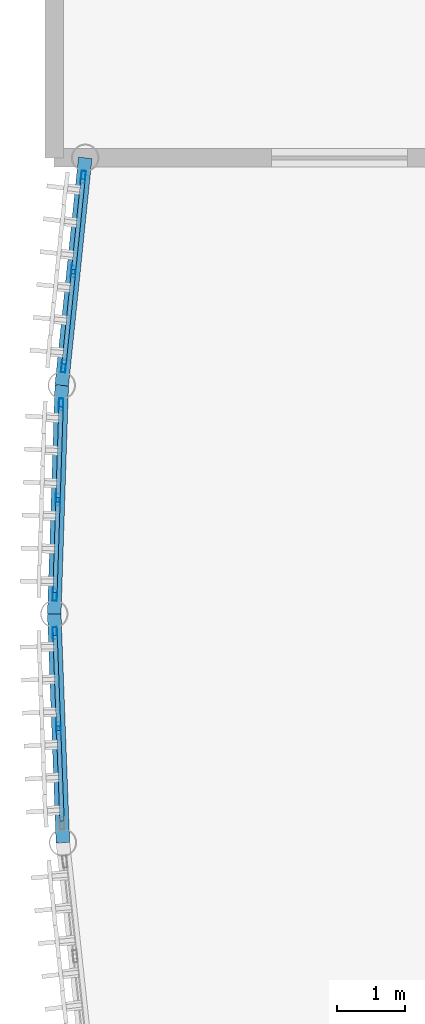
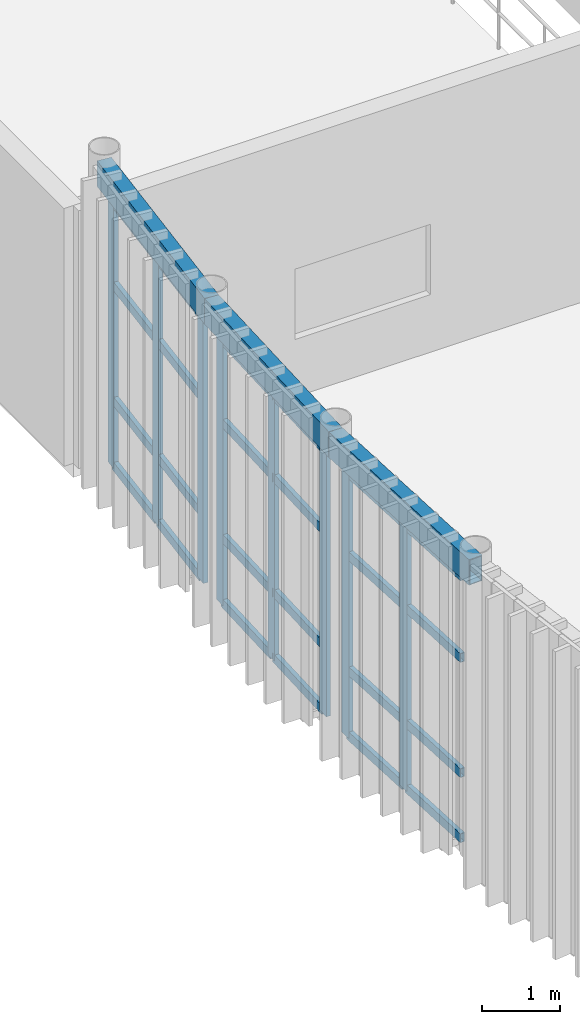
# One storey, part 35 of 105: 32 members, 3 beams, 3 elements without a shape of their own.
"""IFC4 building model written with IfcOpenShell, lengths in metres."""

from ifc_helpers import new_model, si_unit, direction, frame, origin, origin_2d, place, context, subcontext, project, spatial, hollow_rectangle, extrude, material, layer, layer_set, material_profile, profile_set, type_object, element, aggregate, save


model = new_model("IFC4")

# Units and contexts
model_context = context("Model", 3, precision=1e-05, world=origin(), true_north=direction((0.0, 1.0)))
body_context = subcontext(model_context, "Body", "Model", "MODEL_VIEW")
ifc_project = project(units=[si_unit("LENGTHUNIT", "METRE"), si_unit("AREAUNIT", "SQUARE_METRE"), si_unit("VOLUMEUNIT", "CUBIC_METRE"), si_unit("PLANEANGLEUNIT", "RADIAN"), si_unit("MASSUNIT", "GRAM", prefix="KILO")], contexts=[model_context])

# Site, building, storey
site_placement = place(None, origin())
site = spatial("IfcSite", under=ifc_project, at=site_placement, CompositionType="ELEMENT")
building_placement = place(site_placement, origin())
building = spatial("IfcBuilding", under=site, at=building_placement, Name="Selat Folded Stagehouse", CompositionType="ELEMENT")
storey_placement = place(building_placement, frame((0.0, 0.0, 10.199951171875)))
storey = spatial("IfcBuildingStorey", under=building, at=storey_placement, Name="L02", CompositionType="ELEMENT", Elevation=10.199951171875)

# Curtain wall, members
ifc_material_1 = material(Name="Aluminium 6063-T6", Category="aluminium")
ifc_layer = layer(ifc_material_1, 0.199951171875)
ifc_layer_set = layer_set([ifc_layer], Name="Aluminium 6063-T6")
curtain_wall_type = type_object("IfcCurtainWallType", Name="CW-DRM-MID", PredefinedType="NOTDEFINED", material=ifc_layer_set)
curtain_wall_1_placement = place(storey_placement, origin())
curtain_wall_1 = element("IfcCurtainWall", 1, at=curtain_wall_1_placement, inside=storey, type_object=curtain_wall_type, Name="L02 curtain wall CW-DRM-L02-00", PredefinedType="NOTDEFINED")
ifc_material_profile_1 = material_profile(ifc_material_1, hollow_rectangle(XDim=0.06494140625, YDim=0.179931640625, WallThickness=0.00390625, at=origin_2d()), Name="ALU 180x65x4.0")
ifc_profile_set_1 = profile_set([ifc_material_profile_1], Name="Aluminium 6063-T6")
member_type_1 = type_object("IfcMemberType", Name="CWM-MUL-180x65", PredefinedType="MULLION", material=ifc_profile_set_1)
member_1_placement = place(storey_placement, frame((0.13916015625, 51.52978515625, 0.0), z_axis=(0.0, 0.0, 1.0), x_axis=(-0.994721032614, 0.102616116059, 0.0)))
member_1 = element("IfcMember", 2, at=member_1_placement, type_object=member_type_1, Name="CW-02 mullion 1", PredefinedType="MULLION", context=body_context, shape_type="SweptSolid", body=[
    extrude(hollow_rectangle(XDim=0.06494140625, YDim=0.179931640625, WallThickness=0.00390625, at=origin_2d()), origin(), (0.0, 0.0, 1.0), 4.16015625),
])
member_2_placement = place(storey_placement, frame((0.282958984375, 52.92431640625, 0.0), z_axis=(0.0, 0.0, 1.0), x_axis=(-0.994721032614, 0.102616116059, 0.0)))
member_2 = element("IfcMember", 3, at=member_2_placement, type_object=member_type_1, Name="CW-02 mullion 2", PredefinedType="MULLION", context=body_context, shape_type="SweptSolid", body=[
    extrude(hollow_rectangle(XDim=0.06494140625, YDim=0.179931640625, WallThickness=0.00390625, at=origin_2d()), origin(), (0.0, 0.0, 1.0), 4.16015625),
])
member_3_placement = place(storey_placement, frame((0.4267578125, 54.319091796875, 0.0), z_axis=(0.0, 0.0, 1.0), x_axis=(-0.994721032614, 0.102616116059, 0.0)))
member_3 = element("IfcMember", 4, at=member_3_placement, type_object=member_type_1, Name="CW-02 mullion 3", PredefinedType="MULLION", context=body_context, shape_type="SweptSolid", body=[
    extrude(hollow_rectangle(XDim=0.06494140625, YDim=0.179931640625, WallThickness=0.00390625, at=origin_2d()), origin(), (0.0, 0.0, 1.0), 4.16015625),
])

curtain_wall_2_placement = place(storey_placement, origin())
curtain_wall_2 = element("IfcCurtainWall", 5, at=curtain_wall_2_placement, inside=storey, type_object=curtain_wall_type, Name="L02 curtain wall CW-DRM-L02-01", PredefinedType="NOTDEFINED")
member_4_placement = place(storey_placement, frame((0.00927734375, 48.1640625, 0.0), z_axis=(0.0, 0.0, 1.0), x_axis=(-0.999467648801, 0.032625434862, 0.0)))
member_4 = element("IfcMember", 6, at=member_4_placement, type_object=member_type_1, Name="CW-02 mullion 1", PredefinedType="MULLION", context=body_context, shape_type="SweptSolid", body=[
    extrude(hollow_rectangle(XDim=0.06494140625, YDim=0.179931640625, WallThickness=0.00390625, at=origin_2d()), origin(), (0.0, 0.0, 1.0), 4.16015625),
])
member_5_placement = place(storey_placement, frame((0.05517578125, 49.565185546875, 0.0), z_axis=(0.0, 0.0, 1.0), x_axis=(-0.999467648801, 0.032625434862, 0.0)))
member_5 = element("IfcMember", 7, at=member_5_placement, type_object=member_type_1, Name="CW-02 mullion 2", PredefinedType="MULLION", context=body_context, shape_type="SweptSolid", body=[
    extrude(hollow_rectangle(XDim=0.06494140625, YDim=0.179931640625, WallThickness=0.00390625, at=origin_2d()), origin(), (0.0, 0.0, 1.0), 4.16015625),
])
member_6_placement = place(storey_placement, frame((0.100830078125, 50.96630859375, 0.0), z_axis=(0.0, 0.0, 1.0), x_axis=(-0.999467648801, 0.032625434862, 0.0)))
member_6 = element("IfcMember", 8, at=member_6_placement, type_object=member_type_1, Name="CW-02 mullion 3", PredefinedType="MULLION", context=body_context, shape_type="SweptSolid", body=[
    extrude(hollow_rectangle(XDim=0.06494140625, YDim=0.179931640625, WallThickness=0.00390625, at=origin_2d()), origin(), (0.0, 0.0, 1.0), 4.16015625),
])

curtain_wall_3_placement = place(storey_placement, origin())
curtain_wall_3 = element("IfcCurtainWall", 9, at=curtain_wall_3_placement, inside=storey, type_object=curtain_wall_type, Name="L02 curtain wall CW-DRM-L02-02", PredefinedType="NOTDEFINED")
member_7_placement = place(storey_placement, frame((0.0634765625, 46.1982421875, 0.0), z_axis=(0.0, 0.0, 1.0), x_axis=(-0.999293858167, -0.037573727908, 0.0)))
member_7 = element("IfcMember", 10, at=member_7_placement, type_object=member_type_1, Name="CW-02 mullion 2", PredefinedType="MULLION", context=body_context, shape_type="SweptSolid", body=[
    extrude(hollow_rectangle(XDim=0.06494140625, YDim=0.179931640625, WallThickness=0.00390625, at=origin_2d()), origin(), (0.0, 0.0, 1.0), 4.16015625),
])
member_8_placement = place(storey_placement, frame((0.0107421875, 47.599365234375, 0.0), z_axis=(0.0, 0.0, 1.0), x_axis=(-0.999293858167, -0.037573727908, 0.0)))
member_8 = element("IfcMember", 11, at=member_8_placement, type_object=member_type_1, Name="CW-02 mullion 3", PredefinedType="MULLION", context=body_context, shape_type="SweptSolid", body=[
    extrude(hollow_rectangle(XDim=0.06494140625, YDim=0.179931640625, WallThickness=0.00390625, at=origin_2d()), origin(), (0.0, 0.0, 1.0), 4.16015625),
])

# Member
ifc_material_profile_2 = material_profile(ifc_material_1, hollow_rectangle(XDim=0.06494140625, YDim=0.139892578125, WallThickness=0.00390625, at=origin_2d()), Name="ALU 140x65x4.0")
ifc_profile_set_2 = profile_set([ifc_material_profile_2], Name="Aluminium 6063-T6")
member_type_2 = type_object("IfcMemberType", Name="CWM-TRN-140x65", PredefinedType="USERDEFINED", material=ifc_profile_set_2)
member_9_placement = place(storey_placement, frame((0.142578125, 51.562255859375, 0.032470703125), z_axis=(0.102631236213, 0.994719472692, 0.0), x_axis=(-0.994719472692, 0.102631236213, 0.0)))
member_9 = element("IfcMember", 12, at=member_9_placement, type_object=member_type_2, Name="CW-02 transom 1.1", ObjectType="TRANSOM", PredefinedType="USERDEFINED", context=body_context, shape_type="SweptSolid", body=[
    extrude(hollow_rectangle(XDim=0.06494140625, YDim=0.139892578125, WallThickness=0.00390625, at=origin_2d()), origin(), (0.0, 0.0, 1.0), 1.3369140625),
])

member_10_placement = place(storey_placement, frame((0.142578125, 51.562255859375, 1.050048828125), z_axis=(0.102631236213, 0.994719472692, 0.0), x_axis=(-0.994719472692, 0.102631236213, 0.0)))
member_10 = element("IfcMember", 13, at=member_10_placement, type_object=member_type_2, Name="CW-02 transom 1.2", ObjectType="TRANSOM", PredefinedType="USERDEFINED", context=body_context, shape_type="SweptSolid", body=[
    extrude(hollow_rectangle(XDim=0.06494140625, YDim=0.139892578125, WallThickness=0.00390625, at=origin_2d()), origin(), (0.0, 0.0, 1.0), 1.3369140625),
])

member_11_placement = place(storey_placement, frame((0.142578125, 51.562255859375, 2.85009765625), z_axis=(0.102631236213, 0.994719472692, 0.0), x_axis=(-0.994719472692, 0.102631236213, 0.0)))
member_11 = element("IfcMember", 14, at=member_11_placement, type_object=member_type_2, Name="CW-02 transom 1.3", ObjectType="TRANSOM", PredefinedType="USERDEFINED", context=body_context, shape_type="SweptSolid", body=[
    extrude(hollow_rectangle(XDim=0.06494140625, YDim=0.139892578125, WallThickness=0.00390625, at=origin_2d()), origin(), (0.0, 0.0, 1.0), 1.3369140625),
])

member_12_placement = place(storey_placement, frame((0.142578125, 51.562255859375, 4.12744140625), z_axis=(0.102631236213, 0.994719472692, 0.0), x_axis=(-0.994719472692, 0.102631236213, 0.0)))
member_12 = element("IfcMember", 15, at=member_12_placement, type_object=member_type_2, Name="CW-02 transom 1.4", ObjectType="TRANSOM", PredefinedType="USERDEFINED", context=body_context, shape_type="SweptSolid", body=[
    extrude(hollow_rectangle(XDim=0.06494140625, YDim=0.139892578125, WallThickness=0.00390625, at=origin_2d()), origin(), (0.0, 0.0, 1.0), 1.3369140625),
])

member_13_placement = place(storey_placement, frame((0.286376953125, 52.956787109375, 0.032470703125), z_axis=(0.102631236213, 0.994719472692, 0.0), x_axis=(-0.994719472692, 0.102631236213, 0.0)))
member_13 = element("IfcMember", 16, at=member_13_placement, type_object=member_type_2, Name="CW-02 transom 2.1", ObjectType="TRANSOM", PredefinedType="USERDEFINED", context=body_context, shape_type="SweptSolid", body=[
    extrude(hollow_rectangle(XDim=0.06494140625, YDim=0.139892578125, WallThickness=0.00390625, at=origin_2d()), origin(), (0.0, 0.0, 1.0), 1.3369140625),
])

member_14_placement = place(storey_placement, frame((0.286376953125, 52.956787109375, 1.050048828125), z_axis=(0.102631236213, 0.994719472692, 0.0), x_axis=(-0.994719472692, 0.102631236213, 0.0)))
member_14 = element("IfcMember", 17, at=member_14_placement, type_object=member_type_2, Name="CW-02 transom 2.2", ObjectType="TRANSOM", PredefinedType="USERDEFINED", context=body_context, shape_type="SweptSolid", body=[
    extrude(hollow_rectangle(XDim=0.06494140625, YDim=0.139892578125, WallThickness=0.00390625, at=origin_2d()), origin(), (0.0, 0.0, 1.0), 1.3369140625),
])

member_15_placement = place(storey_placement, frame((0.286376953125, 52.956787109375, 2.85009765625), z_axis=(0.102631236213, 0.994719472692, 0.0), x_axis=(-0.994719472692, 0.102631236213, 0.0)))
member_15 = element("IfcMember", 18, at=member_15_placement, type_object=member_type_2, Name="CW-02 transom 2.3", ObjectType="TRANSOM", PredefinedType="USERDEFINED", context=body_context, shape_type="SweptSolid", body=[
    extrude(hollow_rectangle(XDim=0.06494140625, YDim=0.139892578125, WallThickness=0.00390625, at=origin_2d()), origin(), (0.0, 0.0, 1.0), 1.3369140625),
])

member_16_placement = place(storey_placement, frame((0.286376953125, 52.956787109375, 4.12744140625), z_axis=(0.102631236213, 0.994719472692, 0.0), x_axis=(-0.994719472692, 0.102631236213, 0.0)))
member_16 = element("IfcMember", 19, at=member_16_placement, type_object=member_type_2, Name="CW-02 transom 2.4", ObjectType="TRANSOM", PredefinedType="USERDEFINED", context=body_context, shape_type="SweptSolid", body=[
    extrude(hollow_rectangle(XDim=0.06494140625, YDim=0.139892578125, WallThickness=0.00390625, at=origin_2d()), origin(), (0.0, 0.0, 1.0), 1.3369140625),
])

aggregate(curtain_wall_1, [member_1, member_2, member_3, member_9, member_10, member_11, member_12, member_13, member_14, member_15, member_16])

member_17_placement = place(storey_placement, frame((0.010498046875, 48.196533203125, 0.032470703125), z_axis=(0.032506108816, 0.999471536808, 0.0), x_axis=(-0.999471536808, 0.032506108816, 0.0)))
member_17 = element("IfcMember", 20, at=member_17_placement, type_object=member_type_2, Name="CW-02 transom 1.1", ObjectType="TRANSOM", PredefinedType="USERDEFINED", context=body_context, shape_type="SweptSolid", body=[
    extrude(hollow_rectangle(XDim=0.06494140625, YDim=0.139892578125, WallThickness=0.00390625, at=origin_2d()), origin(), (0.0, 0.0, 1.0), 1.3369140625),
])

member_18_placement = place(storey_placement, frame((0.010498046875, 48.196533203125, 1.050048828125), z_axis=(0.032506108816, 0.999471536808, 0.0), x_axis=(-0.999471536808, 0.032506108816, 0.0)))
member_18 = element("IfcMember", 21, at=member_18_placement, type_object=member_type_2, Name="CW-02 transom 1.2", ObjectType="TRANSOM", PredefinedType="USERDEFINED", context=body_context, shape_type="SweptSolid", body=[
    extrude(hollow_rectangle(XDim=0.06494140625, YDim=0.139892578125, WallThickness=0.00390625, at=origin_2d()), origin(), (0.0, 0.0, 1.0), 1.3369140625),
])

member_19_placement = place(storey_placement, frame((0.010498046875, 48.196533203125, 2.85009765625), z_axis=(0.032506108816, 0.999471536808, 0.0), x_axis=(-0.999471536808, 0.032506108816, 0.0)))
member_19 = element("IfcMember", 22, at=member_19_placement, type_object=member_type_2, Name="CW-02 transom 1.3", ObjectType="TRANSOM", PredefinedType="USERDEFINED", context=body_context, shape_type="SweptSolid", body=[
    extrude(hollow_rectangle(XDim=0.06494140625, YDim=0.139892578125, WallThickness=0.00390625, at=origin_2d()), origin(), (0.0, 0.0, 1.0), 1.3369140625),
])

member_20_placement = place(storey_placement, frame((0.010498046875, 48.196533203125, 4.12744140625), z_axis=(0.032506108816, 0.999471536808, 0.0), x_axis=(-0.999471536808, 0.032506108816, 0.0)))
member_20 = element("IfcMember", 23, at=member_20_placement, type_object=member_type_2, Name="CW-02 transom 1.4", ObjectType="TRANSOM", PredefinedType="USERDEFINED", context=body_context, shape_type="SweptSolid", body=[
    extrude(hollow_rectangle(XDim=0.06494140625, YDim=0.139892578125, WallThickness=0.00390625, at=origin_2d()), origin(), (0.0, 0.0, 1.0), 1.3369140625),
])

member_21_placement = place(storey_placement, frame((0.05615234375, 49.59765625, 0.032470703125), z_axis=(0.032688532814, 0.999465587113, 0.0), x_axis=(-0.999465587113, 0.032688532814, 0.0)))
member_21 = element("IfcMember", 24, at=member_21_placement, type_object=member_type_2, Name="CW-02 transom 2.1", ObjectType="TRANSOM", PredefinedType="USERDEFINED", context=body_context, shape_type="SweptSolid", body=[
    extrude(hollow_rectangle(XDim=0.06494140625, YDim=0.139892578125, WallThickness=0.00390625, at=origin_2d()), origin(), (0.0, 0.0, 1.0), 1.3369140625),
])

member_22_placement = place(storey_placement, frame((0.05615234375, 49.59765625, 1.050048828125), z_axis=(0.032688532814, 0.999465587113, 0.0), x_axis=(-0.999465587113, 0.032688532814, 0.0)))
member_22 = element("IfcMember", 25, at=member_22_placement, type_object=member_type_2, Name="CW-02 transom 2.2", ObjectType="TRANSOM", PredefinedType="USERDEFINED", context=body_context, shape_type="SweptSolid", body=[
    extrude(hollow_rectangle(XDim=0.06494140625, YDim=0.139892578125, WallThickness=0.00390625, at=origin_2d()), origin(), (0.0, 0.0, 1.0), 1.3369140625),
])

member_23_placement = place(storey_placement, frame((0.05615234375, 49.59765625, 2.85009765625), z_axis=(0.032688532814, 0.999465587113, 0.0), x_axis=(-0.999465587113, 0.032688532814, 0.0)))
member_23 = element("IfcMember", 26, at=member_23_placement, type_object=member_type_2, Name="CW-02 transom 2.3", ObjectType="TRANSOM", PredefinedType="USERDEFINED", context=body_context, shape_type="SweptSolid", body=[
    extrude(hollow_rectangle(XDim=0.06494140625, YDim=0.139892578125, WallThickness=0.00390625, at=origin_2d()), origin(), (0.0, 0.0, 1.0), 1.3369140625),
])

member_24_placement = place(storey_placement, frame((0.05615234375, 49.59765625, 4.12744140625), z_axis=(0.032688532814, 0.999465587113, 0.0), x_axis=(-0.999465587113, 0.032688532814, 0.0)))
member_24 = element("IfcMember", 27, at=member_24_placement, type_object=member_type_2, Name="CW-02 transom 2.4", ObjectType="TRANSOM", PredefinedType="USERDEFINED", context=body_context, shape_type="SweptSolid", body=[
    extrude(hollow_rectangle(XDim=0.06494140625, YDim=0.139892578125, WallThickness=0.00390625, at=origin_2d()), origin(), (0.0, 0.0, 1.0), 1.3369140625),
])

aggregate(curtain_wall_2, [member_4, member_5, member_6, member_17, member_18, member_19, member_20, member_21, member_22, member_23, member_24])

member_25_placement = place(storey_placement, frame((0.11474609375, 44.829833984375, 0.032470703125), z_axis=(-0.037437187768, 0.999298982773, 0.0), x_axis=(-0.999298982773, -0.037437187768, 0.0)))
member_25 = element("IfcMember", 28, at=member_25_placement, type_object=member_type_2, Name="CW-02 transom 1.1", ObjectType="TRANSOM", PredefinedType="USERDEFINED", context=body_context, shape_type="SweptSolid", body=[
    extrude(hollow_rectangle(XDim=0.06494140625, YDim=0.139892578125, WallThickness=0.00390625, at=origin_2d()), origin(), (0.0, 0.0, 1.0), 1.3369140625),
])

member_26_placement = place(storey_placement, frame((0.11474609375, 44.829833984375, 1.050048828125), z_axis=(-0.037437187768, 0.999298982773, 0.0), x_axis=(-0.999298982773, -0.037437187768, 0.0)))
member_26 = element("IfcMember", 29, at=member_26_placement, type_object=member_type_2, Name="CW-02 transom 1.2", ObjectType="TRANSOM", PredefinedType="USERDEFINED", context=body_context, shape_type="SweptSolid", body=[
    extrude(hollow_rectangle(XDim=0.06494140625, YDim=0.139892578125, WallThickness=0.00390625, at=origin_2d()), origin(), (0.0, 0.0, 1.0), 1.3369140625),
])

member_27_placement = place(storey_placement, frame((0.11474609375, 44.829833984375, 2.85009765625), z_axis=(-0.037437187768, 0.999298982773, 0.0), x_axis=(-0.999298982773, -0.037437187768, 0.0)))
member_27 = element("IfcMember", 30, at=member_27_placement, type_object=member_type_2, Name="CW-02 transom 1.3", ObjectType="TRANSOM", PredefinedType="USERDEFINED", context=body_context, shape_type="SweptSolid", body=[
    extrude(hollow_rectangle(XDim=0.06494140625, YDim=0.139892578125, WallThickness=0.00390625, at=origin_2d()), origin(), (0.0, 0.0, 1.0), 1.3369140625),
])

member_28_placement = place(storey_placement, frame((0.11474609375, 44.829833984375, 4.12744140625), z_axis=(-0.037437187768, 0.999298982773, 0.0), x_axis=(-0.999298982773, -0.037437187768, 0.0)))
member_28 = element("IfcMember", 31, at=member_28_placement, type_object=member_type_2, Name="CW-02 transom 1.4", ObjectType="TRANSOM", PredefinedType="USERDEFINED", context=body_context, shape_type="SweptSolid", body=[
    extrude(hollow_rectangle(XDim=0.06494140625, YDim=0.139892578125, WallThickness=0.00390625, at=origin_2d()), origin(), (0.0, 0.0, 1.0), 1.3369140625),
])

member_29_placement = place(storey_placement, frame((0.062255859375, 46.230712890625, 0.032470703125), z_axis=(-0.037612686436, 0.999292392555, 0.0), x_axis=(-0.999292392555, -0.037612686436, 0.0)))
member_29 = element("IfcMember", 32, at=member_29_placement, type_object=member_type_2, Name="CW-02 transom 2.1", ObjectType="TRANSOM", PredefinedType="USERDEFINED", context=body_context, shape_type="SweptSolid", body=[
    extrude(hollow_rectangle(XDim=0.06494140625, YDim=0.139892578125, WallThickness=0.00390625, at=origin_2d()), origin(), (0.0, 0.0, 1.0), 1.337158203125),
])

member_30_placement = place(storey_placement, frame((0.062255859375, 46.230712890625, 1.050048828125), z_axis=(-0.037612686436, 0.999292392555, 0.0), x_axis=(-0.999292392555, -0.037612686436, 0.0)))
member_30 = element("IfcMember", 33, at=member_30_placement, type_object=member_type_2, Name="CW-02 transom 2.2", ObjectType="TRANSOM", PredefinedType="USERDEFINED", context=body_context, shape_type="SweptSolid", body=[
    extrude(hollow_rectangle(XDim=0.06494140625, YDim=0.139892578125, WallThickness=0.00390625, at=origin_2d()), origin(), (0.0, 0.0, 1.0), 1.337158203125),
])

member_31_placement = place(storey_placement, frame((0.062255859375, 46.230712890625, 2.85009765625), z_axis=(-0.037612686436, 0.999292392555, 0.0), x_axis=(-0.999292392555, -0.037612686436, 0.0)))
member_31 = element("IfcMember", 34, at=member_31_placement, type_object=member_type_2, Name="CW-02 transom 2.3", ObjectType="TRANSOM", PredefinedType="USERDEFINED", context=body_context, shape_type="SweptSolid", body=[
    extrude(hollow_rectangle(XDim=0.06494140625, YDim=0.139892578125, WallThickness=0.00390625, at=origin_2d()), origin(), (0.0, 0.0, 1.0), 1.337158203125),
])

member_32_placement = place(storey_placement, frame((0.062255859375, 46.230712890625, 4.12744140625), z_axis=(-0.037612686436, 0.999292392555, 0.0), x_axis=(-0.999292392555, -0.037612686436, 0.0)))
member_32 = element("IfcMember", 35, at=member_32_placement, type_object=member_type_2, Name="CW-02 transom 2.4", ObjectType="TRANSOM", PredefinedType="USERDEFINED", context=body_context, shape_type="SweptSolid", body=[
    extrude(hollow_rectangle(XDim=0.06494140625, YDim=0.139892578125, WallThickness=0.00390625, at=origin_2d()), origin(), (0.0, 0.0, 1.0), 1.337158203125),
])

aggregate(curtain_wall_3, [member_7, member_8, member_25, member_26, member_27, member_28, member_29, member_30, member_31, member_32])

# Beams
ifc_material_2 = material(Name="Steel S355", Category="steel")
ifc_material_profile_3 = material_profile(ifc_material_2, hollow_rectangle(XDim=0.199951171875, YDim=0.39990234375, WallThickness=0.012451171875, at=origin_2d()), Name="RHS 400x200x12.5")
ifc_profile_set_3 = profile_set([ifc_material_profile_3], Name="Steel S355")
beam_type = type_object("IfcBeamType", Name="SPD-EXT-400x200", PredefinedType="SPANDREL", material=ifc_profile_set_3)
beam_1_placement = place(storey_placement, frame((0.455810546875, 54.60009765625, 4.400146484375), z_axis=(-0.102609885069, -0.994721675388, 0.0), x_axis=(0.994721675388, -0.102609885069, 0.0)))
element("IfcBeam", 36, at=beam_1_placement, inside=storey, type_object=beam_type, Name="L02 curved drum spandrel beam 1", PredefinedType="SPANDREL", context=body_context, shape_type="SweptSolid", body=[
    extrude(hollow_rectangle(XDim=0.199951171875, YDim=0.39990234375, WallThickness=0.012451171875, at=origin_2d()), origin(), (0.0, 0.0, 1.0), 3.369140625),
])
beam_2_placement = place(storey_placement, frame((0.110107421875, 51.248779296875, 4.400146484375), z_axis=(-0.03268264694, -0.999465779599, 0.0), x_axis=(0.999465779599, -0.03268264694, 0.0)))
element("IfcBeam", 37, at=beam_2_placement, inside=storey, type_object=beam_type, Name="L02 curved drum spandrel beam 2", PredefinedType="SPANDREL", context=body_context, shape_type="SweptSolid", body=[
    extrude(hollow_rectangle(XDim=0.199951171875, YDim=0.39990234375, WallThickness=0.012451171875, at=origin_2d()), origin(), (0.0, 0.0, 1.0), 3.368896484375),
])
beam_3_placement = place(storey_placement, frame((0.0, 47.881591796875, 4.400146484375), z_axis=(0.03760934134, -0.999292518457, 0.0), x_axis=(0.999292518457, 0.03760934134, 0.0)))
element("IfcBeam", 38, at=beam_3_placement, inside=storey, type_object=beam_type, Name="L02 curved drum spandrel beam 3", PredefinedType="SPANDREL", context=body_context, shape_type="SweptSolid", body=[
    extrude(hollow_rectangle(XDim=0.199951171875, YDim=0.39990234375, WallThickness=0.012451171875, at=origin_2d()), origin(), (0.0, 0.0, 1.0), 3.369140625),
])

save(model, "model.ifc")
